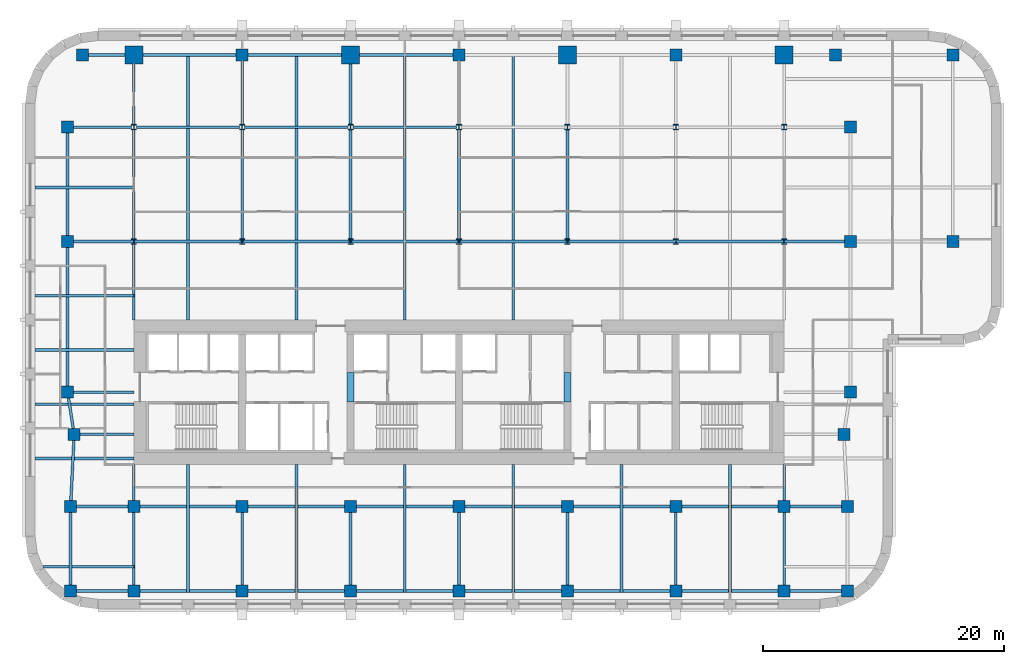
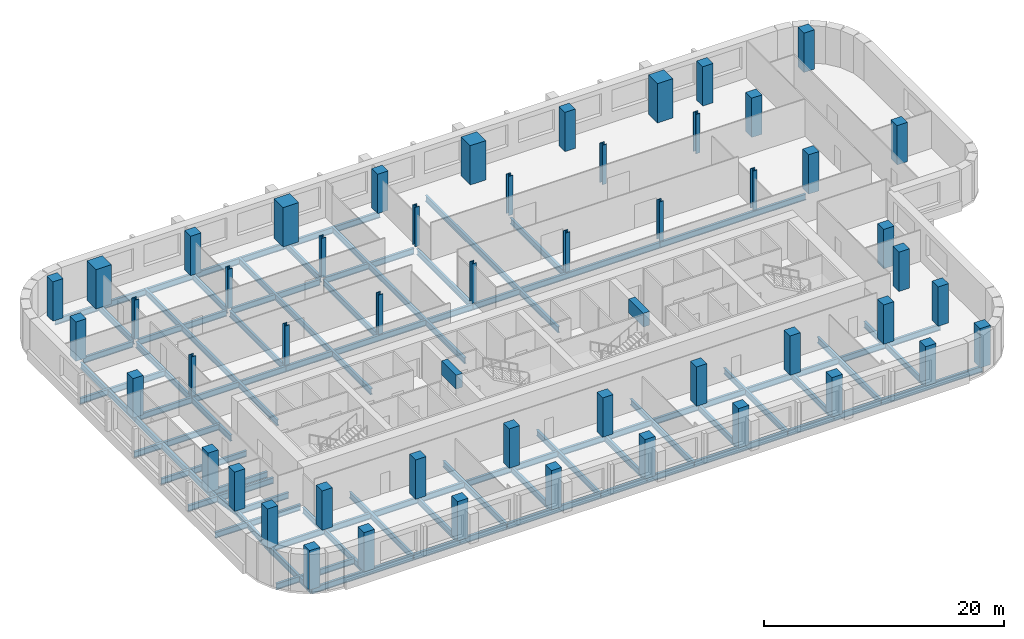
# One storey, part 1 of 10: 58 beams, 51 columns.
"""IFC4 building model written with IfcOpenShell, lengths in metres."""

from ifc_helpers import new_model, si_unit, direction, frame, origin, origin_2d, place, context, subcontext, project, spatial, rectangle, i_section, extrude, material, material_profile, profile_set, type_object, element, save


model = new_model("IFC4")

# Units and contexts
model_context = context("Model", 3, precision=1e-05, world=origin(), true_north=direction((0.0, 1.0)))
body_context = subcontext(model_context, "Body", "Model", "MODEL_VIEW")
ifc_project = project(units=[si_unit("LENGTHUNIT", "METRE"), si_unit("AREAUNIT", "SQUARE_METRE"), si_unit("VOLUMEUNIT", "CUBIC_METRE"), si_unit("PLANEANGLEUNIT", "RADIAN"), si_unit("MASSUNIT", "GRAM", prefix="KILO")], contexts=[model_context])

# Site, building, storey
site_placement = place(None, origin())
site = spatial("IfcSite", under=ifc_project, at=site_placement, CompositionType="ELEMENT")
building_placement = place(site_placement, origin())
building = spatial("IfcBuilding", under=site, at=building_placement, Name="Zellij Exchange Tower", CompositionType="ELEMENT")
storey_placement = place(building_placement, frame((0.0, 0.0, 128.5)))
storey = spatial("IfcBuildingStorey", under=building, at=storey_placement, Name="L28", CompositionType="ELEMENT", Elevation=128.5)

# Columns
ifc_material_1 = material(Name="Concrete C70/85", Category="concrete")
ifc_material_profile_1 = material_profile(ifc_material_1, rectangle(XDim=1.0, YDim=1.0, at=origin_2d()), Name="STR-COLUMN RC1000x1000 C70/85")
ifc_profile_set_1 = profile_set([ifc_material_profile_1], Name="Concrete C70/85")
column_type_1 = type_object("IfcColumnType", Name="STR-COLUMN RC1000x1000 C70/85", PredefinedType="COLUMN", material=ifc_profile_set_1)
for number, where, z_axis, x_axis, name in (
    (1, (-32.25, -24.5, 0.0), (0.0, 0.0, 1.0), (1.0, 0.0, 0.0), "C10"),
    (2, (-27.0, -24.5, 0.0), (0.0, 0.0, 1.0), (1.0, 0.0, 0.0), "C10"),
    (3, (-18.0, -24.5, 0.0), (0.0, 0.0, 1.0), (1.0, 0.0, 0.0), "C10"),
    (4, (-9.0, -24.5, 0.0), (0.0, 0.0, 1.0), (1.0, 0.0, 0.0), "C10"),
    (5, (0.0, -24.5, 0.0), (0.0, 0.0, 1.0), (1.0, 0.0, 0.0), "C10"),
    (6, (9.0, -24.5, 0.0), (0.0, 0.0, 1.0), (1.0, 0.0, 0.0), "C10"),
    (7, (18.0, -24.5, 0.0), (0.0, 0.0, 1.0), (1.0, 0.0, 0.0), "C10"),
    (8, (27.0, -24.5, 0.0), (0.0, 0.0, 1.0), (1.0, 0.0, 0.0), "C10"),
    (9, (32.25, -24.5, 0.0), (0.0, 0.0, 1.0), (1.0, 0.0, 0.0), "C10"),
    (10, (-32.25, -17.5, 0.0), (0.0, 0.0, 1.0), (1.0, 0.0, 0.0), "C10"),
    (11, (-27.0, -17.5, 0.0), (0.0, 0.0, 1.0), (1.0, 0.0, 0.0), "C10"),
    (12, (-18.0, -17.5, 0.0), (0.0, 0.0, 1.0), (1.0, 0.0, 0.0), "C10"),
    (13, (-9.0, -17.5, 0.0), (0.0, 0.0, 1.0), (1.0, 0.0, 0.0), "C10"),
    (14, (0.0, -17.5, 0.0), (0.0, 0.0, 1.0), (1.0, 0.0, 0.0), "C10"),
    (15, (9.0, -17.5, 0.0), (0.0, 0.0, 1.0), (1.0, 0.0, 0.0), "C10"),
    (16, (18.0, -17.5, 0.0), (0.0, 0.0, 1.0), (1.0, 0.0, 0.0), "C10"),
    (17, (27.0, -17.5, 0.0), (0.0, 0.0, 1.0), (1.0, 0.0, 0.0), "C10"),
    (18, (32.25, -17.5, 0.0), (0.0, 0.0, 1.0), (1.0, 0.0, 0.0), "C10"),
    (19, (-31.949951171875, -11.5, 0.0), (0.0, 0.0, 1.0), (1.0, 0.0, 0.0), "C10"),
    (20, (31.949951171875, -11.5, 0.0), (0.0, 0.0, 1.0), (1.0, 0.0, 0.0), "C10"),
    (21, (-32.5, -8.0, 0.0), (0.0, 0.0, 1.0), (1.0, 0.0, 0.0), "C10"),
    (22, (32.5, -8.0, 0.0), (0.0, 0.0, 1.0), (1.0, 0.0, 0.0), "C10"),
    (23, (-32.5, 4.5, 0.0), (0.0, 0.0, 1.0), (1.0, 0.0, 0.0), "C10"),
    (24, (32.5, 4.5, 0.0), (0.0, 0.0, 1.0), (1.0, 0.0, 0.0), "C10"),
    (25, (41.0, 4.5, 0.0), (0.0, 0.0, 1.0), (1.0, 0.0, 0.0), "C10"),
    (26, (-32.5, 14.0, 0.0), (0.0, 0.0, 1.0), (1.0, 0.0, 0.0), "C10"),
    (27, (32.5, 14.0, 0.0), (0.0, 0.0, 1.0), (1.0, 0.0, 0.0), "C10"),
    (28, (-31.25, 20.0, 0.0), (0.0, 0.0, 1.0), (1.0, 0.0, 0.0), "C10"),
    (29, (-18.0, 20.0, 0.0), (0.0, 0.0, 1.0), (1.0, 0.0, 0.0), "C10"),
    (30, (0.0, 20.0, 0.0), (0.0, 0.0, 1.0), (1.0, 0.0, 0.0), "C10"),
    (31, (18.0, 20.0, 0.0), (0.0, 0.0, 1.0), (1.0, 0.0, 0.0), "C10"),
    (32, (31.25, 20.0, 0.0), (0.0, 0.0, 1.0), (1.0, 0.0, 0.0), "C10"),
    (33, (41.0, 20.0, 0.0), (0.0, 0.0, 1.0), (1.0, 0.0, 0.0), "C10"),
):
    element("IfcColumn", number, at=place(storey_placement, frame(where, z_axis=z_axis, x_axis=x_axis)), inside=storey, type_object=column_type_1, Name=name, PredefinedType="COLUMN", context=body_context, shape_type="SweptSolid", body=[
        extrude(rectangle(XDim=1.0, YDim=1.0, at=origin_2d()), origin(), (0.0, 0.0, 1.0), 4.0),
    ])
ifc_material_2 = material(Name="Structural steel ASTM A913 Gr 65", Category="steel")
ifc_material_profile_2 = material_profile(ifc_material_2, i_section(OverallWidth=0.419189453125, OverallDepth=0.45458984375, WebThickness=0.042236328125, FlangeThickness=0.067626953125, at=origin_2d()), Name="W14x370")
ifc_profile_set_2 = profile_set([ifc_material_profile_2], Name="Structural steel ASTM A913 Gr 65")
column_type_2 = type_object("IfcColumnType", Name="STR-COLUMN W14x370", PredefinedType="COLUMN", material=ifc_profile_set_2)
for number, where, z_axis, x_axis, name in (
    (34, (-27.0, 4.5, 0.0), (0.0, 0.0, 1.0), (1.0, 0.0, 0.0), "C4"),
    (35, (-18.0, 4.5, 0.0), (0.0, 0.0, 1.0), (1.0, 0.0, 0.0), "C4"),
    (36, (-9.0, 4.5, 0.0), (0.0, 0.0, 1.0), (1.0, 0.0, 0.0), "C4"),
    (37, (0.0, 4.5, 0.0), (0.0, 0.0, 1.0), (1.0, 0.0, 0.0), "C4"),
    (38, (9.0, 4.5, 0.0), (0.0, 0.0, 1.0), (1.0, 0.0, 0.0), "C4"),
    (39, (18.0, 4.5, 0.0), (0.0, 0.0, 1.0), (1.0, 0.0, 0.0), "C4"),
    (40, (27.0, 4.5, 0.0), (0.0, 0.0, 1.0), (1.0, 0.0, 0.0), "C4"),
    (41, (-27.0, 14.0, 0.0), (0.0, 0.0, 1.0), (1.0, 0.0, 0.0), "C4"),
    (42, (-18.0, 14.0, 0.0), (0.0, 0.0, 1.0), (1.0, 0.0, 0.0), "C4"),
    (43, (-9.0, 14.0, 0.0), (0.0, 0.0, 1.0), (1.0, 0.0, 0.0), "C4"),
    (44, (0.0, 14.0, 0.0), (0.0, 0.0, 1.0), (1.0, 0.0, 0.0), "C4"),
    (45, (9.0, 14.0, 0.0), (0.0, 0.0, 1.0), (1.0, 0.0, 0.0), "C4"),
    (46, (18.0, 14.0, 0.0), (0.0, 0.0, 1.0), (1.0, 0.0, 0.0), "C4"),
    (47, (27.0, 14.0, 0.0), (0.0, 0.0, 1.0), (1.0, 0.0, 0.0), "C4"),
):
    element("IfcColumn", number, at=place(storey_placement, frame(where, z_axis=z_axis, x_axis=x_axis)), inside=storey, type_object=column_type_2, Name=name, PredefinedType="COLUMN", context=body_context, shape_type="SweptSolid", body=[
        extrude(i_section(OverallWidth=0.419189453125, OverallDepth=0.45458984375, WebThickness=0.042236328125, FlangeThickness=0.067626953125, at=origin_2d()), origin(), (0.0, 0.0, 1.0), 4.0),
    ])
ifc_material_profile_3 = material_profile(ifc_material_1, rectangle(XDim=1.5, YDim=1.5, at=origin_2d()), Name="STR-MEGA COLUMN RC1500x1500 C70/85")
ifc_profile_set_3 = profile_set([ifc_material_profile_3], Name="Concrete C70/85")
column_type_3 = type_object("IfcColumnType", Name="STR-MEGA COLUMN RC1500x1500 C70/85", PredefinedType="COLUMN", material=ifc_profile_set_3)
for number, where, z_axis, x_axis, name in (
    (48, (-27.0, 20.0, 0.0), (0.0, 0.0, 1.0), (1.0, 0.0, 0.0), "MC5"),
    (49, (-9.0, 20.0, 0.0), (0.0, 0.0, 1.0), (1.0, 0.0, 0.0), "MC5"),
    (50, (9.0, 20.0, 0.0), (0.0, 0.0, 1.0), (1.0, 0.0, 0.0), "MC5"),
    (51, (27.0, 20.0, 0.0), (0.0, 0.0, 1.0), (1.0, 0.0, 0.0), "MC5"),
):
    element("IfcColumn", number, at=place(storey_placement, frame(where, z_axis=z_axis, x_axis=x_axis)), inside=storey, type_object=column_type_3, Name=name, PredefinedType="COLUMN", context=body_context, shape_type="SweptSolid", body=[
        extrude(rectangle(XDim=1.5, YDim=1.5, at=origin_2d()), origin(), (0.0, 0.0, 1.0), 4.0),
    ])

# Beams
ifc_material_profile_4 = material_profile(ifc_material_1, rectangle(XDim=0.60009765625, YDim=1.39990234375, at=origin_2d()), Name="CORE-CB 600x1400 C70/85")
ifc_profile_set_4 = profile_set([ifc_material_profile_4], Name="Concrete C70/85")
beam_type_1 = type_object("IfcBeamType", Name="CORE-CB 600x1400 C70/85", PredefinedType="BEAM", material=ifc_profile_set_4)
for number, where, z_axis, x_axis, name in (
    (52, (-9.0, -8.800048828125, 3.10009765625), (0.0, 1.0, 0.0), (-1.0, 0.0, 0.0), "Core coupling beam x -9 L28"),
    (53, (9.0, -8.800048828125, 3.10009765625), (0.0, 1.0, 0.0), (-1.0, 0.0, 0.0), "Core coupling beam x 9 L28"),
):
    element("IfcBeam", number, at=place(storey_placement, frame(where, z_axis=z_axis, x_axis=x_axis)), inside=storey, type_object=beam_type_1, Name=name, PredefinedType="BEAM", context=body_context, shape_type="SweptSolid", body=[
        extrude(rectangle(XDim=0.60009765625, YDim=1.39990234375, at=origin_2d()), origin(), (0.0, 0.0, 1.0), 2.425048828125),
    ])
ifc_material_3 = material(Name="Structural steel ASTM A992 Gr 50", Category="steel")
ifc_material_profile_5 = material_profile(ifc_material_3, i_section(OverallWidth=0.227783203125, OverallDepth=0.60205078125, WebThickness=0.010498046875, FlangeThickness=0.014892578125, at=origin_2d()), Name="W24x68")
ifc_profile_set_5 = profile_set([ifc_material_profile_5], Name="Structural steel ASTM A992 Gr 50")
beam_type_2 = type_object("IfcBeamType", Name="STR-BEAM W24x68", PredefinedType="BEAM", material=ifc_profile_set_5)
beam_1_placement = place(storey_placement, frame((-22.5, -24.614501953125, -0.5009765625), z_axis=(0.0, 1.0, 0.0), x_axis=(-1.0, 0.0, 0.0)))
element("IfcBeam", 54, at=beam_1_placement, inside=storey, type_object=beam_type_2, Name="B5", PredefinedType="BEAM", context=body_context, shape_type="SweptSolid", body=[
    extrude(i_section(OverallWidth=0.227783203125, OverallDepth=0.60205078125, WebThickness=0.010498046875, FlangeThickness=0.014892578125, at=origin_2d()), origin(), (0.0, 0.0, 1.0), 10.614501953125),
])
beam_2_placement = place(storey_placement, frame((-22.5, -2.0, -0.5009765625), z_axis=(0.0, 1.0, 0.0), x_axis=(-1.0, 0.0, 0.0)))
element("IfcBeam", 55, at=beam_2_placement, inside=storey, type_object=beam_type_2, Name="B5", PredefinedType="BEAM", context=body_context, shape_type="SweptSolid", body=[
    extrude(i_section(OverallWidth=0.227783203125, OverallDepth=0.60205078125, WebThickness=0.010498046875, FlangeThickness=0.014892578125, at=origin_2d()), origin(), (0.0, 0.0, 1.0), 22.114501953125),
])
beam_3_placement = place(storey_placement, frame((-13.5, -24.614501953125, -0.5009765625), z_axis=(0.0, 1.0, 0.0), x_axis=(-1.0, 0.0, 0.0)))
element("IfcBeam", 56, at=beam_3_placement, inside=storey, type_object=beam_type_2, Name="B5", PredefinedType="BEAM", context=body_context, shape_type="SweptSolid", body=[
    extrude(i_section(OverallWidth=0.227783203125, OverallDepth=0.60205078125, WebThickness=0.010498046875, FlangeThickness=0.014892578125, at=origin_2d()), origin(), (0.0, 0.0, 1.0), 10.614501953125),
])
beam_4_placement = place(storey_placement, frame((-13.5, -2.0, -0.5009765625), z_axis=(0.0, 1.0, 0.0), x_axis=(-1.0, 0.0, 0.0)))
element("IfcBeam", 57, at=beam_4_placement, inside=storey, type_object=beam_type_2, Name="B5", PredefinedType="BEAM", context=body_context, shape_type="SweptSolid", body=[
    extrude(i_section(OverallWidth=0.227783203125, OverallDepth=0.60205078125, WebThickness=0.010498046875, FlangeThickness=0.014892578125, at=origin_2d()), origin(), (0.0, 0.0, 1.0), 22.114501953125),
])
beam_5_placement = place(storey_placement, frame((-4.5, -24.614501953125, -0.5009765625), z_axis=(0.0, 1.0, 0.0), x_axis=(-1.0, 0.0, 0.0)))
element("IfcBeam", 58, at=beam_5_placement, inside=storey, type_object=beam_type_2, Name="B5", PredefinedType="BEAM", context=body_context, shape_type="SweptSolid", body=[
    extrude(i_section(OverallWidth=0.227783203125, OverallDepth=0.60205078125, WebThickness=0.010498046875, FlangeThickness=0.014892578125, at=origin_2d()), origin(), (0.0, 0.0, 1.0), 10.614501953125),
])
beam_6_placement = place(storey_placement, frame((-4.5, -2.0, -0.5009765625), z_axis=(0.0, 1.0, 0.0), x_axis=(-1.0, 0.0, 0.0)))
element("IfcBeam", 59, at=beam_6_placement, inside=storey, type_object=beam_type_2, Name="B5", PredefinedType="BEAM", context=body_context, shape_type="SweptSolid", body=[
    extrude(i_section(OverallWidth=0.227783203125, OverallDepth=0.60205078125, WebThickness=0.010498046875, FlangeThickness=0.014892578125, at=origin_2d()), origin(), (0.0, 0.0, 1.0), 22.114501953125),
])
beam_7_placement = place(storey_placement, frame((4.5, -24.614501953125, -0.5009765625), z_axis=(0.0, 1.0, 0.0), x_axis=(-1.0, 0.0, 0.0)))
element("IfcBeam", 60, at=beam_7_placement, inside=storey, type_object=beam_type_2, Name="B5", PredefinedType="BEAM", context=body_context, shape_type="SweptSolid", body=[
    extrude(i_section(OverallWidth=0.227783203125, OverallDepth=0.60205078125, WebThickness=0.010498046875, FlangeThickness=0.014892578125, at=origin_2d()), origin(), (0.0, 0.0, 1.0), 10.614501953125),
])
beam_8_placement = place(storey_placement, frame((4.5, -2.0, -0.5009765625), z_axis=(0.0, 1.0, 0.0), x_axis=(-1.0, 0.0, 0.0)))
element("IfcBeam", 61, at=beam_8_placement, inside=storey, type_object=beam_type_2, Name="B5", PredefinedType="BEAM", context=body_context, shape_type="SweptSolid", body=[
    extrude(i_section(OverallWidth=0.227783203125, OverallDepth=0.60205078125, WebThickness=0.010498046875, FlangeThickness=0.014892578125, at=origin_2d()), origin(), (0.0, 0.0, 1.0), 22.114501953125),
])
for number, where, z_axis, x_axis, name in (
    (62, (13.5, -24.614501953125, -0.5009765625), (0.0, 1.0, 0.0), (-1.0, 0.0, 0.0), "B5"),
    (63, (22.5, -24.614501953125, -0.5009765625), (0.0, 1.0, 0.0), (-1.0, 0.0, 0.0), "B5"),
):
    element("IfcBeam", number, at=place(storey_placement, frame(where, z_axis=z_axis, x_axis=x_axis)), inside=storey, type_object=beam_type_2, Name=name, PredefinedType="BEAM", context=body_context, shape_type="SweptSolid", body=[
        extrude(i_section(OverallWidth=0.227783203125, OverallDepth=0.60205078125, WebThickness=0.010498046875, FlangeThickness=0.014892578125, at=origin_2d()), origin(), (0.0, 0.0, 1.0), 10.614501953125),
    ])
beam_9_placement = place(storey_placement, frame((-34.537109375, -22.5, -0.5009765625), z_axis=(1.0, 0.0, 0.0), x_axis=(0.0, 1.0, 0.0)))
element("IfcBeam", 64, at=beam_9_placement, inside=storey, type_object=beam_type_2, Name="B5", PredefinedType="BEAM", context=body_context, shape_type="SweptSolid", body=[
    extrude(i_section(OverallWidth=0.227783203125, OverallDepth=0.60205078125, WebThickness=0.010498046875, FlangeThickness=0.014892578125, at=origin_2d()), origin(), (0.0, 0.0, 1.0), 7.537109375),
])
for number, where, z_axis, x_axis, name in (
    (65, (-35.199951171875, -13.5, -0.5009765625), (1.0, 0.0, 0.0), (0.0, 1.0, 0.0), "B5"),
    (66, (-35.199951171875, -9.0, -0.5009765625), (1.0, 0.0, 0.0), (0.0, 1.0, 0.0), "B5"),
    (67, (-35.199951171875, -4.5, -0.5009765625), (1.0, 0.0, 0.0), (0.0, 1.0, 0.0), "B5"),
    (68, (-35.199951171875, 0.0, -0.5009765625), (1.0, 0.0, 0.0), (0.0, 1.0, 0.0), "B5"),
    (69, (-35.199951171875, 9.0, -0.5009765625), (1.0, 0.0, 0.0), (0.0, 1.0, 0.0), "B5"),
):
    element("IfcBeam", number, at=place(storey_placement, frame(where, z_axis=z_axis, x_axis=x_axis)), inside=storey, type_object=beam_type_2, Name=name, PredefinedType="BEAM", context=body_context, shape_type="SweptSolid", body=[
        extrude(i_section(OverallWidth=0.227783203125, OverallDepth=0.60205078125, WebThickness=0.010498046875, FlangeThickness=0.014892578125, at=origin_2d()), origin(), (0.0, 0.0, 1.0), 8.199951171875),
    ])
ifc_material_profile_6 = material_profile(ifc_material_3, i_section(OverallWidth=0.22900390625, OverallDepth=0.612060546875, WebThickness=0.011962890625, FlangeThickness=0.01953125, at=origin_2d()), Name="W24x84")
ifc_profile_set_6 = profile_set([ifc_material_profile_6], Name="Structural steel ASTM A992 Gr 50")
beam_type_3 = type_object("IfcBeamType", Name="STR-EDGE GIRDER W24x84", PredefinedType="BEAM", material=ifc_profile_set_6)
beam_10_placement = place(storey_placement, frame((-32.25, -24.5, -0.506103515625), z_axis=(0.0, 1.0, 0.0), x_axis=(-1.0, 0.0, 0.0)))
element("IfcBeam", 70, at=beam_10_placement, inside=storey, type_object=beam_type_3, Name="EB6", PredefinedType="BEAM", context=body_context, shape_type="SweptSolid", body=[
    extrude(i_section(OverallWidth=0.22900390625, OverallDepth=0.612060546875, WebThickness=0.011962890625, FlangeThickness=0.01953125, at=origin_2d()), origin(), (0.0, 0.0, 1.0), 7.0),
])
beam_11_placement = place(storey_placement, frame((-32.25, -17.5, -0.506103515625), z_axis=(0.049945724537, 0.998751933465, 0.0), x_axis=(-0.998751933465, 0.049945724537, 0.0)))
element("IfcBeam", 71, at=beam_11_placement, inside=storey, type_object=beam_type_3, Name="EB6", PredefinedType="BEAM", context=body_context, shape_type="SweptSolid", body=[
    extrude(i_section(OverallWidth=0.22900390625, OverallDepth=0.612060546875, WebThickness=0.011962890625, FlangeThickness=0.01953125, at=origin_2d()), origin(), (0.0, 0.0, 1.0), 6.007568359375),
])
beam_12_placement = place(storey_placement, frame((-31.949951171875, -11.5, -0.506103515625), z_axis=(-0.155251283593, 0.987875011802, 0.0), x_axis=(-0.987875011802, -0.155251283593, 0.0)))
element("IfcBeam", 72, at=beam_12_placement, inside=storey, type_object=beam_type_3, Name="EB6", PredefinedType="BEAM", context=body_context, shape_type="SweptSolid", body=[
    extrude(i_section(OverallWidth=0.22900390625, OverallDepth=0.612060546875, WebThickness=0.011962890625, FlangeThickness=0.01953125, at=origin_2d()), origin(), (0.0, 0.0, 1.0), 3.54296875),
])
beam_13_placement = place(storey_placement, frame((-32.5, -8.0, -0.506103515625), z_axis=(0.0, 1.0, 0.0), x_axis=(-1.0, 0.0, 0.0)))
element("IfcBeam", 73, at=beam_13_placement, inside=storey, type_object=beam_type_3, Name="EB6", PredefinedType="BEAM", context=body_context, shape_type="SweptSolid", body=[
    extrude(i_section(OverallWidth=0.22900390625, OverallDepth=0.612060546875, WebThickness=0.011962890625, FlangeThickness=0.01953125, at=origin_2d()), origin(), (0.0, 0.0, 1.0), 12.5),
])
beam_14_placement = place(storey_placement, frame((-32.5, 4.5, -0.506103515625), z_axis=(0.0, 1.0, 0.0), x_axis=(-1.0, 0.0, 0.0)))
element("IfcBeam", 74, at=beam_14_placement, inside=storey, type_object=beam_type_3, Name="EB6", PredefinedType="BEAM", context=body_context, shape_type="SweptSolid", body=[
    extrude(i_section(OverallWidth=0.22900390625, OverallDepth=0.612060546875, WebThickness=0.011962890625, FlangeThickness=0.01953125, at=origin_2d()), origin(), (0.0, 0.0, 1.0), 9.0),
])
ifc_material_profile_7 = material_profile(ifc_material_3, i_section(OverallWidth=0.22900390625, OverallDepth=0.612060546875, WebThickness=0.011962890625, FlangeThickness=0.01953125, at=origin_2d()), Name="W24x84")
ifc_profile_set_7 = profile_set([ifc_material_profile_7], Name="Structural steel ASTM A992 Gr 50")
beam_type_4 = type_object("IfcBeamType", Name="STR-GIRDER W24x84", PredefinedType="BEAM", material=ifc_profile_set_7)
beam_15_placement = place(storey_placement, frame((-32.25, -24.5, -0.506103515625), z_axis=(1.0, 0.0, 0.0), x_axis=(0.0, 1.0, 0.0)))
element("IfcBeam", 75, at=beam_15_placement, inside=storey, type_object=beam_type_4, Name="G4", PredefinedType="BEAM", context=body_context, shape_type="SweptSolid", body=[
    extrude(i_section(OverallWidth=0.22900390625, OverallDepth=0.612060546875, WebThickness=0.011962890625, FlangeThickness=0.01953125, at=origin_2d()), origin(), (0.0, 0.0, 1.0), 14.25),
])
for number, where, z_axis, x_axis, name in (
    (76, (-18.0, -24.5, -0.506103515625), (1.0, 0.0, 0.0), (0.0, 1.0, 0.0), "G4"),
    (77, (0.0, -24.5, -0.506103515625), (1.0, 0.0, 0.0), (0.0, 1.0, 0.0), "G4"),
):
    element("IfcBeam", number, at=place(storey_placement, frame(where, z_axis=z_axis, x_axis=x_axis)), inside=storey, type_object=beam_type_4, Name=name, PredefinedType="BEAM", context=body_context, shape_type="SweptSolid", body=[
        extrude(i_section(OverallWidth=0.22900390625, OverallDepth=0.612060546875, WebThickness=0.011962890625, FlangeThickness=0.01953125, at=origin_2d()), origin(), (0.0, 0.0, 1.0), 18.0),
    ])
for number, where, z_axis, x_axis, name in (
    (78, (18.0, -24.5, -0.506103515625), (1.0, 0.0, 0.0), (0.0, 1.0, 0.0), "G4"),
    (79, (-32.25, -17.5, -0.506103515625), (1.0, 0.0, 0.0), (0.0, 1.0, 0.0), "G4"),
):
    element("IfcBeam", number, at=place(storey_placement, frame(where, z_axis=z_axis, x_axis=x_axis)), inside=storey, type_object=beam_type_4, Name=name, PredefinedType="BEAM", context=body_context, shape_type="SweptSolid", body=[
        extrude(i_section(OverallWidth=0.22900390625, OverallDepth=0.612060546875, WebThickness=0.011962890625, FlangeThickness=0.01953125, at=origin_2d()), origin(), (0.0, 0.0, 1.0), 14.25),
    ])
for number, where, z_axis, x_axis, name in (
    (80, (-18.0, -17.5, -0.506103515625), (1.0, 0.0, 0.0), (0.0, 1.0, 0.0), "G4"),
    (81, (0.0, -17.5, -0.506103515625), (1.0, 0.0, 0.0), (0.0, 1.0, 0.0), "G4"),
):
    element("IfcBeam", number, at=place(storey_placement, frame(where, z_axis=z_axis, x_axis=x_axis)), inside=storey, type_object=beam_type_4, Name=name, PredefinedType="BEAM", context=body_context, shape_type="SweptSolid", body=[
        extrude(i_section(OverallWidth=0.22900390625, OverallDepth=0.612060546875, WebThickness=0.011962890625, FlangeThickness=0.01953125, at=origin_2d()), origin(), (0.0, 0.0, 1.0), 18.0),
    ])
beam_16_placement = place(storey_placement, frame((18.0, -17.5, -0.506103515625), z_axis=(1.0, 0.0, 0.0), x_axis=(0.0, 1.0, 0.0)))
element("IfcBeam", 82, at=beam_16_placement, inside=storey, type_object=beam_type_4, Name="G4", PredefinedType="BEAM", context=body_context, shape_type="SweptSolid", body=[
    extrude(i_section(OverallWidth=0.22900390625, OverallDepth=0.612060546875, WebThickness=0.011962890625, FlangeThickness=0.01953125, at=origin_2d()), origin(), (0.0, 0.0, 1.0), 14.25),
])
beam_17_placement = place(storey_placement, frame((-31.949951171875, -11.5, -0.506103515625), z_axis=(1.0, 0.0, 0.0), x_axis=(0.0, 1.0, 0.0)))
element("IfcBeam", 83, at=beam_17_placement, inside=storey, type_object=beam_type_4, Name="G4", PredefinedType="BEAM", context=body_context, shape_type="SweptSolid", body=[
    extrude(i_section(OverallWidth=0.22900390625, OverallDepth=0.612060546875, WebThickness=0.011962890625, FlangeThickness=0.01953125, at=origin_2d()), origin(), (0.0, 0.0, 1.0), 4.949951171875),
])
beam_18_placement = place(storey_placement, frame((-32.5, -8.0, -0.506103515625), z_axis=(1.0, 0.0, 0.0), x_axis=(0.0, 1.0, 0.0)))
element("IfcBeam", 84, at=beam_18_placement, inside=storey, type_object=beam_type_4, Name="G4", PredefinedType="BEAM", context=body_context, shape_type="SweptSolid", body=[
    extrude(i_section(OverallWidth=0.22900390625, OverallDepth=0.612060546875, WebThickness=0.011962890625, FlangeThickness=0.01953125, at=origin_2d()), origin(), (0.0, 0.0, 1.0), 5.5),
])
beam_19_placement = place(storey_placement, frame((-32.5, 4.5, -0.506103515625), z_axis=(1.0, 0.0, 0.0), x_axis=(0.0, 1.0, 0.0)))
element("IfcBeam", 85, at=beam_19_placement, inside=storey, type_object=beam_type_4, Name="G4", PredefinedType="BEAM", context=body_context, shape_type="SweptSolid", body=[
    extrude(i_section(OverallWidth=0.22900390625, OverallDepth=0.612060546875, WebThickness=0.011962890625, FlangeThickness=0.01953125, at=origin_2d()), origin(), (0.0, 0.0, 1.0), 14.5),
])
for number, where, z_axis, x_axis, name in (
    (86, (-18.0, 4.5, -0.506103515625), (1.0, 0.0, 0.0), (0.0, 1.0, 0.0), "G4"),
    (87, (0.0, 4.5, -0.506103515625), (1.0, 0.0, 0.0), (0.0, 1.0, 0.0), "G4"),
):
    element("IfcBeam", number, at=place(storey_placement, frame(where, z_axis=z_axis, x_axis=x_axis)), inside=storey, type_object=beam_type_4, Name=name, PredefinedType="BEAM", context=body_context, shape_type="SweptSolid", body=[
        extrude(i_section(OverallWidth=0.22900390625, OverallDepth=0.612060546875, WebThickness=0.011962890625, FlangeThickness=0.01953125, at=origin_2d()), origin(), (0.0, 0.0, 1.0), 18.0),
    ])
beam_20_placement = place(storey_placement, frame((18.0, 4.5, -0.506103515625), z_axis=(1.0, 0.0, 0.0), x_axis=(0.0, 1.0, 0.0)))
element("IfcBeam", 88, at=beam_20_placement, inside=storey, type_object=beam_type_4, Name="G4", PredefinedType="BEAM", context=body_context, shape_type="SweptSolid", body=[
    extrude(i_section(OverallWidth=0.22900390625, OverallDepth=0.612060546875, WebThickness=0.011962890625, FlangeThickness=0.01953125, at=origin_2d()), origin(), (0.0, 0.0, 1.0), 14.0),
])
beam_21_placement = place(storey_placement, frame((-32.0, 14.0, -0.506103515625), z_axis=(1.0, 0.0, 0.0), x_axis=(0.0, 1.0, 0.0)))
element("IfcBeam", 89, at=beam_21_placement, inside=storey, type_object=beam_type_4, Name="G4", PredefinedType="BEAM", context=body_context, shape_type="SweptSolid", body=[
    extrude(i_section(OverallWidth=0.22900390625, OverallDepth=0.612060546875, WebThickness=0.011962890625, FlangeThickness=0.01953125, at=origin_2d()), origin(), (0.0, 0.0, 1.0), 4.790283203125),
])
for number, where, z_axis, x_axis, name in (
    (90, (-26.790283203125, 14.0, -0.506103515625), (1.0, 0.0, 0.0), (0.0, 1.0, 0.0), "G4"),
    (91, (-17.790283203125, 14.0, -0.506103515625), (1.0, 0.0, 0.0), (0.0, 1.0, 0.0), "G4"),
):
    element("IfcBeam", number, at=place(storey_placement, frame(where, z_axis=z_axis, x_axis=x_axis)), inside=storey, type_object=beam_type_4, Name=name, PredefinedType="BEAM", context=body_context, shape_type="SweptSolid", body=[
        extrude(i_section(OverallWidth=0.22900390625, OverallDepth=0.612060546875, WebThickness=0.011962890625, FlangeThickness=0.01953125, at=origin_2d()), origin(), (0.0, 0.0, 1.0), 8.58056640625),
    ])
beam_22_placement = place(storey_placement, frame((-8.790283203125, 14.0, -0.506103515625), z_axis=(1.0, 0.0, 0.0), x_axis=(0.0, 1.0, 0.0)))
element("IfcBeam", 92, at=beam_22_placement, inside=storey, type_object=beam_type_4, Name="G4", PredefinedType="BEAM", context=body_context, shape_type="SweptSolid", body=[
    extrude(i_section(OverallWidth=0.22900390625, OverallDepth=0.612060546875, WebThickness=0.011962890625, FlangeThickness=0.01953125, at=origin_2d()), origin(), (0.0, 0.0, 1.0), 8.580810546875),
])
beam_23_placement = place(storey_placement, frame((-31.25, 20.0, -0.506103515625), z_axis=(1.0, 0.0, 0.0), x_axis=(0.0, 1.0, 0.0)))
element("IfcBeam", 93, at=beam_23_placement, inside=storey, type_object=beam_type_4, Name="G4", PredefinedType="BEAM", context=body_context, shape_type="SweptSolid", body=[
    extrude(i_section(OverallWidth=0.22900390625, OverallDepth=0.612060546875, WebThickness=0.011962890625, FlangeThickness=0.01953125, at=origin_2d()), origin(), (0.0, 0.0, 1.0), 13.25),
])
beam_24_placement = place(storey_placement, frame((-18.0, 20.0, -0.506103515625), z_axis=(1.0, 0.0, 0.0), x_axis=(0.0, 1.0, 0.0)))
element("IfcBeam", 94, at=beam_24_placement, inside=storey, type_object=beam_type_4, Name="G4", PredefinedType="BEAM", context=body_context, shape_type="SweptSolid", body=[
    extrude(i_section(OverallWidth=0.22900390625, OverallDepth=0.612060546875, WebThickness=0.011962890625, FlangeThickness=0.01953125, at=origin_2d()), origin(), (0.0, 0.0, 1.0), 18.0),
])
beam_25_placement = place(storey_placement, frame((-27.0, -24.5, -0.506103515625), z_axis=(0.0, 1.0, 0.0), x_axis=(-1.0, 0.0, 0.0)))
element("IfcBeam", 95, at=beam_25_placement, inside=storey, type_object=beam_type_4, Name="G4", PredefinedType="BEAM", context=body_context, shape_type="SweptSolid", body=[
    extrude(i_section(OverallWidth=0.22900390625, OverallDepth=0.612060546875, WebThickness=0.011962890625, FlangeThickness=0.01953125, at=origin_2d()), origin(), (0.0, 0.0, 1.0), 10.5),
])
beam_26_placement = place(storey_placement, frame((-27.0, -2.0, -0.506103515625), z_axis=(0.0, 1.0, 0.0), x_axis=(-1.0, 0.0, 0.0)))
element("IfcBeam", 96, at=beam_26_placement, inside=storey, type_object=beam_type_4, Name="G4", PredefinedType="BEAM", context=body_context, shape_type="SweptSolid", body=[
    extrude(i_section(OverallWidth=0.22900390625, OverallDepth=0.612060546875, WebThickness=0.011962890625, FlangeThickness=0.01953125, at=origin_2d()), origin(), (0.0, 0.0, 1.0), 15.772705078125),
])
beam_27_placement = place(storey_placement, frame((-27.0, 14.227294921875, -0.506103515625), z_axis=(0.0, 1.0, 0.0), x_axis=(-1.0, 0.0, 0.0)))
element("IfcBeam", 97, at=beam_27_placement, inside=storey, type_object=beam_type_4, Name="G4", PredefinedType="BEAM", context=body_context, shape_type="SweptSolid", body=[
    extrude(i_section(OverallWidth=0.22900390625, OverallDepth=0.612060546875, WebThickness=0.011962890625, FlangeThickness=0.01953125, at=origin_2d()), origin(), (0.0, 0.0, 1.0), 5.772705078125),
])
beam_28_placement = place(storey_placement, frame((-18.0, -24.5, -0.506103515625), z_axis=(0.0, 1.0, 0.0), x_axis=(-1.0, 0.0, 0.0)))
element("IfcBeam", 98, at=beam_28_placement, inside=storey, type_object=beam_type_4, Name="G4", PredefinedType="BEAM", context=body_context, shape_type="SweptSolid", body=[
    extrude(i_section(OverallWidth=0.22900390625, OverallDepth=0.612060546875, WebThickness=0.011962890625, FlangeThickness=0.01953125, at=origin_2d()), origin(), (0.0, 0.0, 1.0), 7.0),
])
beam_29_placement = place(storey_placement, frame((-18.0, 4.5, -0.506103515625), z_axis=(0.0, 1.0, 0.0), x_axis=(-1.0, 0.0, 0.0)))
element("IfcBeam", 99, at=beam_29_placement, inside=storey, type_object=beam_type_4, Name="G4", PredefinedType="BEAM", context=body_context, shape_type="SweptSolid", body=[
    extrude(i_section(OverallWidth=0.22900390625, OverallDepth=0.612060546875, WebThickness=0.011962890625, FlangeThickness=0.01953125, at=origin_2d()), origin(), (0.0, 0.0, 1.0), 9.272705078125),
])
beam_30_placement = place(storey_placement, frame((-18.0, 14.227294921875, -0.506103515625), z_axis=(0.0, 1.0, 0.0), x_axis=(-1.0, 0.0, 0.0)))
element("IfcBeam", 100, at=beam_30_placement, inside=storey, type_object=beam_type_4, Name="G4", PredefinedType="BEAM", context=body_context, shape_type="SweptSolid", body=[
    extrude(i_section(OverallWidth=0.22900390625, OverallDepth=0.612060546875, WebThickness=0.011962890625, FlangeThickness=0.01953125, at=origin_2d()), origin(), (0.0, 0.0, 1.0), 5.772705078125),
])
beam_31_placement = place(storey_placement, frame((-9.0, -24.5, -0.506103515625), z_axis=(0.0, 1.0, 0.0), x_axis=(-1.0, 0.0, 0.0)))
element("IfcBeam", 101, at=beam_31_placement, inside=storey, type_object=beam_type_4, Name="G4", PredefinedType="BEAM", context=body_context, shape_type="SweptSolid", body=[
    extrude(i_section(OverallWidth=0.22900390625, OverallDepth=0.612060546875, WebThickness=0.011962890625, FlangeThickness=0.01953125, at=origin_2d()), origin(), (0.0, 0.0, 1.0), 7.0),
])
beam_32_placement = place(storey_placement, frame((-9.0, 4.5, -0.506103515625), z_axis=(0.0, 1.0, 0.0), x_axis=(-1.0, 0.0, 0.0)))
element("IfcBeam", 102, at=beam_32_placement, inside=storey, type_object=beam_type_4, Name="G4", PredefinedType="BEAM", context=body_context, shape_type="SweptSolid", body=[
    extrude(i_section(OverallWidth=0.22900390625, OverallDepth=0.612060546875, WebThickness=0.011962890625, FlangeThickness=0.01953125, at=origin_2d()), origin(), (0.0, 0.0, 1.0), 9.272705078125),
])
beam_33_placement = place(storey_placement, frame((-9.0, 14.227294921875, -0.506103515625), z_axis=(0.0, 1.0, 0.0), x_axis=(-1.0, 0.0, 0.0)))
element("IfcBeam", 103, at=beam_33_placement, inside=storey, type_object=beam_type_4, Name="G4", PredefinedType="BEAM", context=body_context, shape_type="SweptSolid", body=[
    extrude(i_section(OverallWidth=0.22900390625, OverallDepth=0.612060546875, WebThickness=0.011962890625, FlangeThickness=0.01953125, at=origin_2d()), origin(), (0.0, 0.0, 1.0), 5.772705078125),
])
beam_34_placement = place(storey_placement, frame((0.0, -24.5, -0.506103515625), z_axis=(0.0, 1.0, 0.0), x_axis=(-1.0, 0.0, 0.0)))
element("IfcBeam", 104, at=beam_34_placement, inside=storey, type_object=beam_type_4, Name="G4", PredefinedType="BEAM", context=body_context, shape_type="SweptSolid", body=[
    extrude(i_section(OverallWidth=0.22900390625, OverallDepth=0.612060546875, WebThickness=0.011962890625, FlangeThickness=0.01953125, at=origin_2d()), origin(), (0.0, 0.0, 1.0), 7.0),
])
beam_35_placement = place(storey_placement, frame((0.0, 4.5, -0.506103515625), z_axis=(0.0, 1.0, 0.0), x_axis=(-1.0, 0.0, 0.0)))
element("IfcBeam", 105, at=beam_35_placement, inside=storey, type_object=beam_type_4, Name="G4", PredefinedType="BEAM", context=body_context, shape_type="SweptSolid", body=[
    extrude(i_section(OverallWidth=0.22900390625, OverallDepth=0.612060546875, WebThickness=0.011962890625, FlangeThickness=0.01953125, at=origin_2d()), origin(), (0.0, 0.0, 1.0), 9.272705078125),
])
beam_36_placement = place(storey_placement, frame((9.0, -24.5, -0.506103515625), z_axis=(0.0, 1.0, 0.0), x_axis=(-1.0, 0.0, 0.0)))
element("IfcBeam", 106, at=beam_36_placement, inside=storey, type_object=beam_type_4, Name="G4", PredefinedType="BEAM", context=body_context, shape_type="SweptSolid", body=[
    extrude(i_section(OverallWidth=0.22900390625, OverallDepth=0.612060546875, WebThickness=0.011962890625, FlangeThickness=0.01953125, at=origin_2d()), origin(), (0.0, 0.0, 1.0), 7.0),
])
beam_37_placement = place(storey_placement, frame((9.0, 4.5, -0.506103515625), z_axis=(0.0, 1.0, 0.0), x_axis=(-1.0, 0.0, 0.0)))
element("IfcBeam", 107, at=beam_37_placement, inside=storey, type_object=beam_type_4, Name="G4", PredefinedType="BEAM", context=body_context, shape_type="SweptSolid", body=[
    extrude(i_section(OverallWidth=0.22900390625, OverallDepth=0.612060546875, WebThickness=0.011962890625, FlangeThickness=0.01953125, at=origin_2d()), origin(), (0.0, 0.0, 1.0), 9.272705078125),
])
beam_38_placement = place(storey_placement, frame((18.0, -24.5, -0.506103515625), z_axis=(0.0, 1.0, 0.0), x_axis=(-1.0, 0.0, 0.0)))
element("IfcBeam", 108, at=beam_38_placement, inside=storey, type_object=beam_type_4, Name="G4", PredefinedType="BEAM", context=body_context, shape_type="SweptSolid", body=[
    extrude(i_section(OverallWidth=0.22900390625, OverallDepth=0.612060546875, WebThickness=0.011962890625, FlangeThickness=0.01953125, at=origin_2d()), origin(), (0.0, 0.0, 1.0), 7.0),
])
beam_39_placement = place(storey_placement, frame((27.0, -24.5, -0.506103515625), z_axis=(0.0, 1.0, 0.0), x_axis=(-1.0, 0.0, 0.0)))
element("IfcBeam", 109, at=beam_39_placement, inside=storey, type_object=beam_type_4, Name="G4", PredefinedType="BEAM", context=body_context, shape_type="SweptSolid", body=[
    extrude(i_section(OverallWidth=0.22900390625, OverallDepth=0.612060546875, WebThickness=0.011962890625, FlangeThickness=0.01953125, at=origin_2d()), origin(), (0.0, 0.0, 1.0), 10.5),
])

save(model, "model.ifc")
